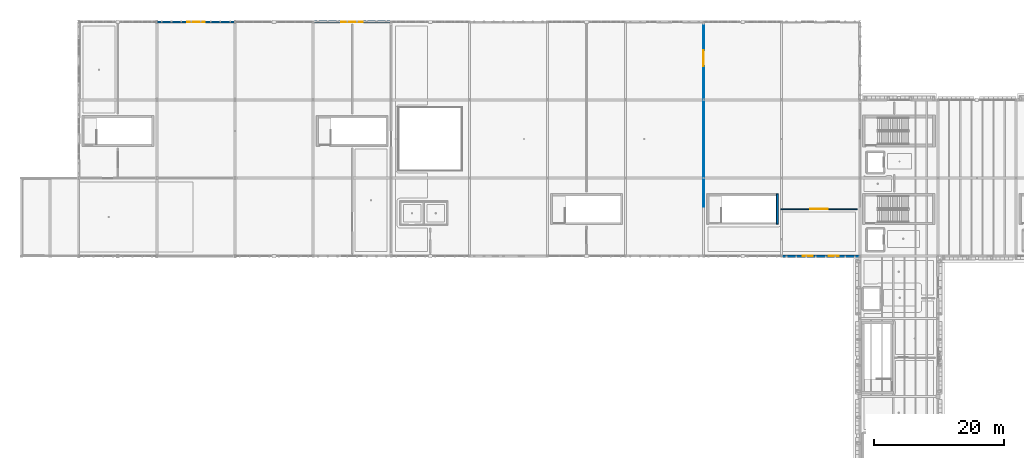
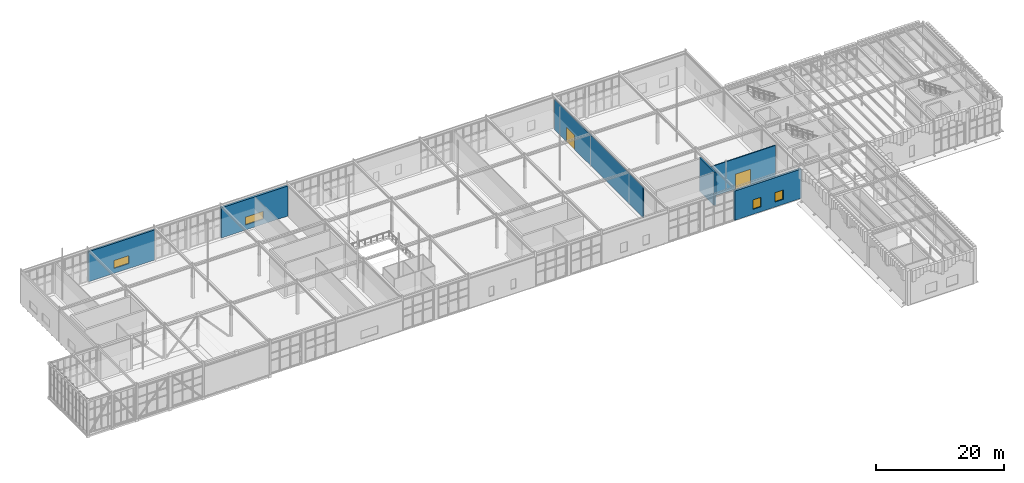
# One storey, part 39 of 62: 6 walls, 4 windows, 2 doors, 6 openings.
"""IFC4 building model written with IfcOpenShell, lengths in metres."""

from ifc_helpers import new_model, si_unit, direction, frame, frame_2d, origin, place, context, subcontext, project, spatial, rectangle, extrude, material, layer, layer_set, type_object, element, fill, save


model = new_model("IFC4")

# Units and contexts
model_context = context("Model", 3, precision=1e-05, world=origin(), true_north=direction((0.0, 1.0)))
body_context = subcontext(model_context, "Body", "Model", "MODEL_VIEW")
ifc_project = project(units=[si_unit("LENGTHUNIT", "METRE"), si_unit("AREAUNIT", "SQUARE_METRE"), si_unit("VOLUMEUNIT", "CUBIC_METRE"), si_unit("PLANEANGLEUNIT", "RADIAN"), si_unit("MASSUNIT", "GRAM", prefix="KILO")], contexts=[model_context])

# Site, building, storey
site_placement = place(None, origin())
site = spatial("IfcSite", under=ifc_project, at=site_placement, CompositionType="ELEMENT")
building_placement = place(site_placement, origin())
building = spatial("IfcBuilding", under=site, at=building_placement, Name="Zlatogorsky Bluff Art Gallery", CompositionType="ELEMENT")
storey_placement = place(building_placement, frame((0.0, 0.0, 16.800048828125)))
storey = spatial("IfcBuildingStorey", under=building, at=storey_placement, Name="L03", CompositionType="ELEMENT", Elevation=16.800048828125)

# Wall, opening, window
ifc_material_1 = material(Name="Precast concrete C40/50", Category="concrete")
ifc_layer_1 = layer(ifc_material_1, 0.39990234375)
ifc_layer_set_1 = layer_set([ifc_layer_1], Name="Exterior Wall EW-02 400mm")
wall_type_1 = type_object("IfcWallType", Name="Exterior Wall EW-02 400mm", PredefinedType="SOLIDWALL", material=ifc_layer_set_1)
wall_1_placement = place(storey_placement, frame((48.0, 120.0, 0.0), z_axis=(0.0, 0.0, 1.0), x_axis=(-1.0, 0.0, 0.0)))
wall_1 = element("IfcWall", 1, at=wall_1_placement, inside=storey, type_object=wall_type_1, Name="Exterior wall EW-02 L03 N 3.10", PredefinedType="SOLIDWALL", context=body_context, shape_type="SweptSolid", body=[
    extrude(rectangle(XDim=12.0, YDim=0.39990234375, at=frame_2d((6.0, 0.0))), origin(), (0.0, 0.0, 1.0), 5.75),
])
opening_1_placement = place(wall_1_placement, frame((4.35009765625, 0.0, 0.949951171875)))
opening_1 = element("IfcOpeningElement", 2, at=opening_1_placement, cuts=wall_1, Name="Opening WN-12", PredefinedType="OPENING", context=body_context, shape_type="SweptSolid", body=[
    extrude(rectangle(XDim=3.300048828125, YDim=1.5, at=frame_2d((1.64990234375, 0.75))), frame((0.0, 0.2099609375, 0.0), z_axis=(0.0, -1.0, 0.0), x_axis=(1.0, 0.0, 0.0)), (0.0, 0.0, 1.0), 0.419921875),
])
ifc_material_2 = material(Name="Bronze-Anodised Aluminium Triple Glazing", Category="aluminium")
window_type_1 = type_object("IfcWindowType", Name="Pointed-Reveal Window WN-12 3300x1500", PartitioningType="SINGLE_PANEL", PredefinedType="WINDOW", material=ifc_material_2)
window_1_placement = place(opening_1_placement, origin())
window_1 = element("IfcWindow", 3, at=window_1_placement, inside=storey, type_object=window_type_1, Name="Window WN-12 L03.N.3.10.1", OverallHeight=1.5, OverallWidth=3.300048828125, PartitioningType="SINGLE_PANEL", PredefinedType="WINDOW", context=body_context, shape_type="SweptSolid", body=[
    extrude(rectangle(XDim=3.300048828125, YDim=1.5, at=frame_2d((1.64990234375, 0.75))), frame((0.0, 0.030029296875, 0.0), z_axis=(0.0, -1.0, 0.0), x_axis=(1.0, 0.0, 0.0)), (0.0, 0.0, 1.0), 0.06005859375),
])
fill(opening_1, window_1)

# Wall, openings, windows
wall_2_placement = place(storey_placement, frame((108.0, 84.0, 0.0), z_axis=(0.0, 0.0, 1.0), x_axis=(1.0, 0.0, 0.0)))
wall_2 = element("IfcWall", 4, at=wall_2_placement, inside=storey, type_object=wall_type_1, Name="Exterior wall EW-02 L03 S 9.8", PredefinedType="SOLIDWALL", context=body_context, shape_type="SweptSolid", body=[
    extrude(rectangle(XDim=12.0, YDim=0.39990234375, at=frame_2d((6.0, 0.0))), origin(), (0.0, 0.0, 1.0), 5.599853515625),
])
opening_2_placement = place(wall_2_placement, frame((3.25, 0.0, 0.949951171875)))
opening_2 = element("IfcOpeningElement", 5, at=opening_2_placement, cuts=wall_2, Name="Opening WN-17", PredefinedType="OPENING", context=body_context, shape_type="SweptSolid", body=[
    extrude(rectangle(XDim=1.5, YDim=1.800048828125, at=frame_2d((0.75, 0.89990234375))), frame((0.0, 0.2099609375, 0.0), z_axis=(0.0, -1.0, 0.0), x_axis=(1.0, 0.0, 0.0)), (0.0, 0.0, 1.0), 0.419921875),
])
opening_3_placement = place(wall_2_placement, frame((7.25, 0.0, 0.949951171875)))
opening_3 = element("IfcOpeningElement", 6, at=opening_3_placement, cuts=wall_2, Name="Opening WN-17", PredefinedType="OPENING", context=body_context, shape_type="SweptSolid", body=[
    extrude(rectangle(XDim=1.5, YDim=1.800048828125, at=frame_2d((0.75, 0.89990234375))), frame((0.0, 0.2099609375, 0.0), z_axis=(0.0, -1.0, 0.0), x_axis=(1.0, 0.0, 0.0)), (0.0, 0.0, 1.0), 0.419921875),
])
window_type_2 = type_object("IfcWindowType", Name="Pointed-Reveal Window WN-17 1500x1800", PartitioningType="SINGLE_PANEL", PredefinedType="WINDOW", material=ifc_material_2)
window_2_placement = place(opening_2_placement, origin())
window_2 = element("IfcWindow", 7, at=window_2_placement, inside=storey, type_object=window_type_2, Name="Window WN-17 L03.S.9.8.1", OverallHeight=1.800048828125, OverallWidth=1.5, PartitioningType="SINGLE_PANEL", PredefinedType="WINDOW", context=body_context, shape_type="SweptSolid", body=[
    extrude(rectangle(XDim=1.5, YDim=1.800048828125, at=frame_2d((0.75, 0.89990234375))), frame((0.0, 0.030029296875, 0.0), z_axis=(0.0, -1.0, 0.0), x_axis=(1.0, 0.0, 0.0)), (0.0, 0.0, 1.0), 0.06005859375),
])
fill(opening_2, window_2)
window_3_placement = place(opening_3_placement, origin())
window_3 = element("IfcWindow", 8, at=window_3_placement, inside=storey, type_object=window_type_2, Name="Window WN-17 L03.S.9.8.2", OverallHeight=1.800048828125, OverallWidth=1.5, PartitioningType="SINGLE_PANEL", PredefinedType="WINDOW", context=body_context, shape_type="SweptSolid", body=[
    extrude(rectangle(XDim=1.5, YDim=1.800048828125, at=frame_2d((0.75, 0.89990234375))), frame((0.0, 0.030029296875, 0.0), z_axis=(0.0, -1.0, 0.0), x_axis=(1.0, 0.0, 0.0)), (0.0, 0.0, 1.0), 0.06005859375),
])
fill(opening_3, window_3)

# Wall, opening, window
ifc_layer_2 = layer(ifc_material_1, 0.320068359375)
ifc_layer_set_2 = layer_set([ifc_layer_2], Name="Exterior Wall EW-04 320mm")
wall_type_2 = type_object("IfcWallType", Name="Exterior Wall EW-04 320mm", PredefinedType="SOLIDWALL", material=ifc_layer_set_2)
wall_3_placement = place(storey_placement, frame((24.0, 120.0, 0.0), z_axis=(0.0, 0.0, 1.0), x_axis=(-1.0, 0.0, 0.0)))
wall_3 = element("IfcWall", 9, at=wall_3_placement, inside=storey, type_object=wall_type_2, Name="Exterior wall EW-04 L03 N 1.10", PredefinedType="SOLIDWALL", context=body_context, shape_type="SweptSolid", body=[
    extrude(rectangle(XDim=12.0, YDim=0.320068359375, at=frame_2d((6.0, 0.0))), origin(), (0.0, 0.0, 1.0), 5.75),
])
opening_4_placement = place(wall_3_placement, frame((4.64990234375, 0.0, 0.949951171875)))
opening_4 = element("IfcOpeningElement", 10, at=opening_4_placement, cuts=wall_3, Name="Opening WN-10", PredefinedType="OPENING", context=body_context, shape_type="SweptSolid", body=[
    extrude(rectangle(XDim=2.699951171875, YDim=1.5, at=frame_2d((1.35009765625, 0.75))), frame((0.0, 0.169921875, 0.0), z_axis=(0.0, -1.0, 0.0), x_axis=(1.0, 0.0, 0.0)), (0.0, 0.0, 1.0), 0.340087890625),
])
window_type_3 = type_object("IfcWindowType", Name="Pointed-Reveal Window WN-10 2700x1500", PartitioningType="SINGLE_PANEL", PredefinedType="WINDOW", material=ifc_material_2)
window_4_placement = place(opening_4_placement, origin())
window_4 = element("IfcWindow", 11, at=window_4_placement, inside=storey, type_object=window_type_3, Name="Window WN-10 L03.N.1.10.1", OverallHeight=1.5, OverallWidth=2.699951171875, PartitioningType="SINGLE_PANEL", PredefinedType="WINDOW", context=body_context, shape_type="SweptSolid", body=[
    extrude(rectangle(XDim=2.699951171875, YDim=1.5, at=frame_2d((1.35009765625, 0.75))), frame((0.0, 0.030029296875, 0.0), z_axis=(0.0, -1.0, 0.0), x_axis=(1.0, 0.0, 0.0)), (0.0, 0.0, 1.0), 0.06005859375),
])
fill(opening_4, window_4)

# Wall, opening, door
ifc_material_3 = material(Name="Concrete C30/37", Category="concrete")
ifc_layer_3 = layer(ifc_material_3, 0.14990234375)
ifc_layer_set_3 = layer_set([ifc_layer_3], Name="Interior Wall IW-01 150mm")
wall_type_3 = type_object("IfcWallType", Name="Interior Wall IW-01 150mm", PredefinedType="PARTITIONING", material=ifc_layer_set_3)
wall_4_placement = place(storey_placement, frame((96.0, 91.5625, 0.0), z_axis=(0.0, 0.0, 1.0), x_axis=(0.0, 1.0, 0.0)))
wall_4 = element("IfcWall", 12, at=wall_4_placement, inside=storey, type_object=wall_type_3, Name="Partition IW-01 between L03-G2-13 and L03-G3-12", PredefinedType="PARTITIONING", context=body_context, shape_type="SweptSolid", body=[
    extrude(rectangle(XDim=27.843017578125, YDim=0.14990234375, at=frame_2d((13.92138671875, 0.0))), origin(), (0.0, 0.0, 1.0), 5.820068359375),
])
opening_5_placement = place(wall_4_placement, frame((21.5810546875, 0.0, 0.0)))
opening_5 = element("IfcOpeningElement", 13, at=opening_5_placement, cuts=wall_4, Name="Opening ID-15", PredefinedType="OPENING", context=body_context, shape_type="SweptSolid", body=[
    extrude(rectangle(XDim=2.5, YDim=2.75, at=frame_2d((1.25, 1.375))), frame((0.0, 0.0849609375, 0.0), z_axis=(0.0, -1.0, 0.0), x_axis=(1.0, 0.0, 0.0)), (0.0, 0.0, 1.0), 0.169921875),
])
ifc_material_4 = material(Name="Anodised Aluminium and Laminated Timber", Category="wood")
door_type_1 = type_object("IfcDoorType", Name="Interior Door ID-15 2500x2750", OperationType="DOUBLE_DOOR_SINGLE_SWING", PredefinedType="DOOR", material=ifc_material_4)
door_1_placement = place(opening_5_placement, origin())
door_1 = element("IfcDoor", 14, at=door_1_placement, inside=storey, type_object=door_type_1, Name="Door ID-15 L03-G2-13-L03-G3-12", OperationType="DOUBLE_DOOR_SINGLE_SWING", OverallHeight=2.75, OverallWidth=2.5, PredefinedType="DOOR", context=body_context, shape_type="SweptSolid", body=[
    extrude(rectangle(XDim=2.5, YDim=2.75, at=frame_2d((1.25, 1.375))), frame((0.0, 0.02490234375, 0.0), z_axis=(0.0, -1.0, 0.0), x_axis=(1.0, 0.0, 0.0)), (0.0, 0.0, 1.0), 0.050048828125),
])
fill(opening_5, door_1)

ifc_layer_4 = layer(ifc_material_3, 0.179931640625)
ifc_layer_set_4 = layer_set([ifc_layer_4], Name="Interior Wall IW-02 180mm")
wall_type_4 = type_object("IfcWallType", Name="Interior Wall IW-02 180mm", PredefinedType="PARTITIONING", material=ifc_layer_set_4)
wall_5_placement = place(storey_placement, frame((107.820068359375, 91.22509765625, 0.0), z_axis=(0.0, 0.0, 1.0), x_axis=(1.0, 0.0, 0.0)))
wall_5 = element("IfcWall", 15, at=wall_5_placement, inside=storey, type_object=wall_type_4, Name="Partition IW-02 between L03-G3-11 and L03-G3-12", PredefinedType="PARTITIONING", context=body_context, shape_type="SweptSolid", body=[
    extrude(rectangle(XDim=11.800048828125, YDim=0.179931640625, at=frame_2d((5.89990234375, 0.0))), origin(), (0.0, 0.0, 1.0), 5.820068359375),
])
opening_6_placement = place(wall_5_placement, frame((4.550048828125, 0.0, 0.0)))
opening_6 = element("IfcOpeningElement", 16, at=opening_6_placement, cuts=wall_5, Name="Opening ID-16", PredefinedType="OPENING", context=body_context, shape_type="SweptSolid", body=[
    extrude(rectangle(XDim=2.699951171875, YDim=2.85009765625, at=frame_2d((1.35009765625, 1.425048828125))), frame((0.0, 0.099853515625, 0.0), z_axis=(0.0, -1.0, 0.0), x_axis=(1.0, 0.0, 0.0)), (0.0, 0.0, 1.0), 0.199951171875),
])
door_type_2 = type_object("IfcDoorType", Name="Interior Door ID-16 2700x2850", OperationType="DOUBLE_DOOR_SINGLE_SWING", PredefinedType="DOOR", material=ifc_material_4)
door_2_placement = place(opening_6_placement, origin())
door_2 = element("IfcDoor", 17, at=door_2_placement, inside=storey, type_object=door_type_2, Name="Door ID-16 L03-G3-11-L03-G3-12", OperationType="DOUBLE_DOOR_SINGLE_SWING", OverallHeight=2.85009765625, OverallWidth=2.699951171875, PredefinedType="DOOR", context=body_context, shape_type="SweptSolid", body=[
    extrude(rectangle(XDim=2.699951171875, YDim=2.85009765625, at=frame_2d((1.35009765625, 1.425048828125))), frame((0.0, 0.02490234375, 0.0), z_axis=(0.0, -1.0, 0.0), x_axis=(1.0, 0.0, 0.0)), (0.0, 0.0, 1.0), 0.050048828125),
])
fill(opening_6, door_2)

# Wall
ifc_material_5 = material(Name="Concrete C35/45", Category="concrete")
ifc_layer_5 = layer(ifc_material_5, 0.300048828125)
ifc_layer_set_5 = layer_set([ifc_layer_5], Name="Interior Wall SW-01 300mm")
wall_type_5 = type_object("IfcWallType", Name="Interior Wall SW-01 300mm", PredefinedType="SHEAR", material=ifc_layer_set_5)
wall_6_placement = place(storey_placement, frame((107.35009765625, 88.89990234375, 0.0), z_axis=(0.0, 0.0, 1.0), x_axis=(0.0, 1.0, 0.0)))
element("IfcWall", 18, at=wall_6_placement, inside=storey, type_object=wall_type_5, Name="Stair ST-01 enclosure wall L03 FEND", PredefinedType="SHEAR", context=body_context, shape_type="SweptSolid", body=[
    extrude(rectangle(XDim=4.650146484375, YDim=0.300048828125, at=frame_2d((2.3251953125, 0.0))), origin(), (0.0, 0.0, 1.0), 6.349853515625),
])

save(model, "model.ifc")
